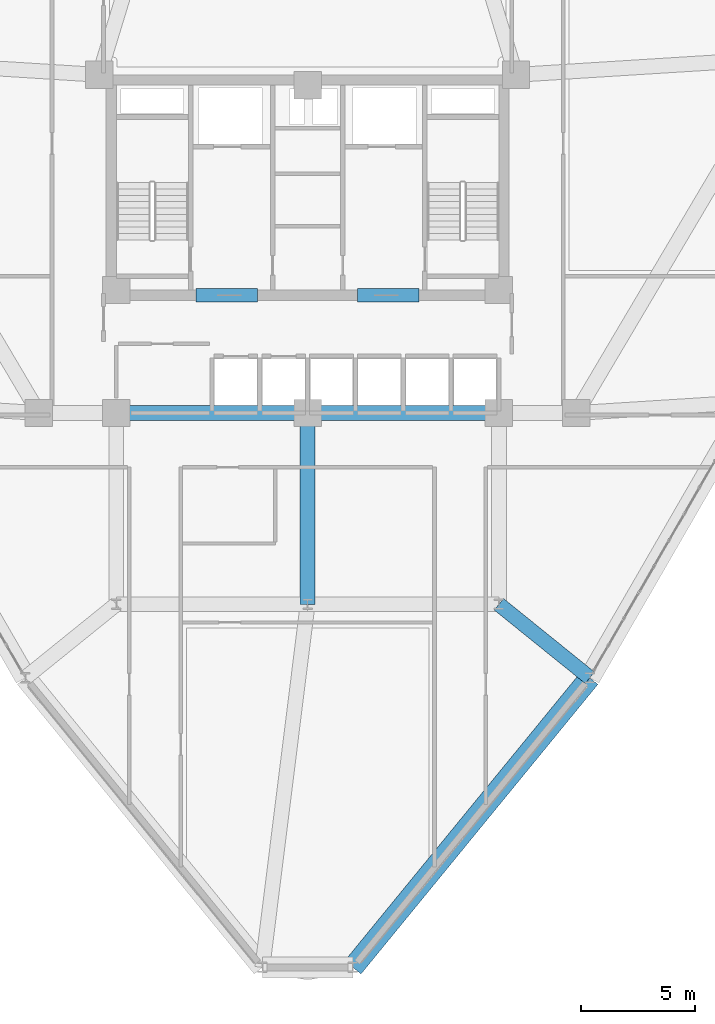
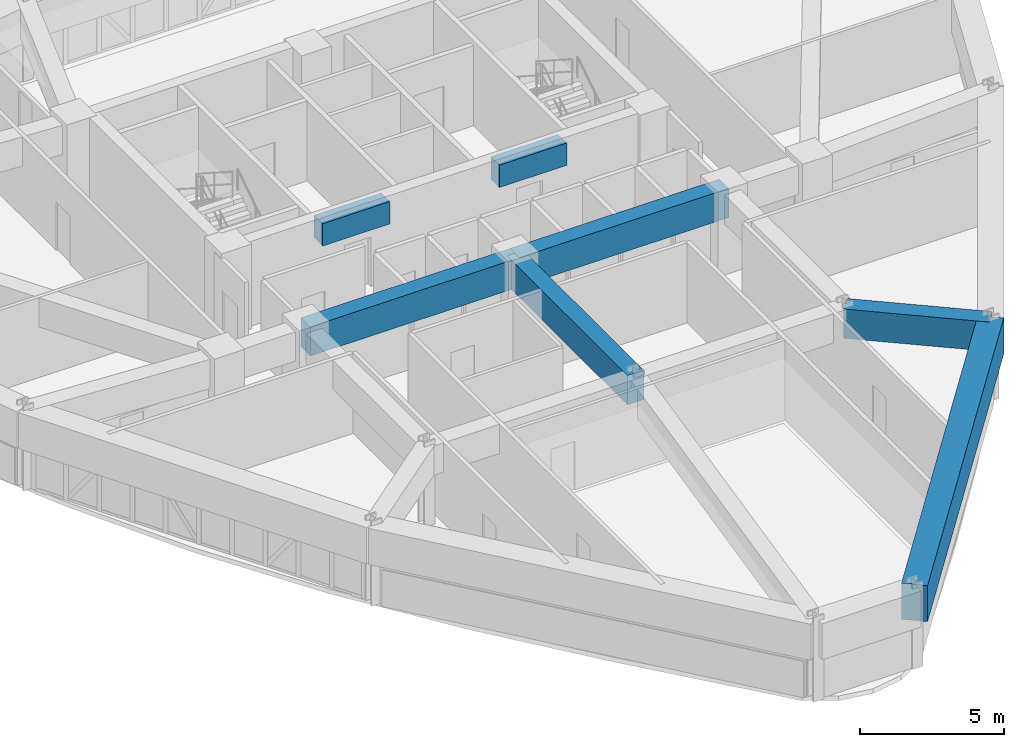
# One storey, part 5 of 15: 7 beams.
"""IFC4 building model written with IfcOpenShell, lengths in metres."""

from ifc_helpers import new_model, si_unit, derived_unit, direction, frame, origin, origin_2d, place, context, subcontext, project, spatial, rectangle, extrude, source, transform, mapped, material, material_profile, profile_set, type_object, element, save


model = new_model("IFC4")

# Units and contexts
model_context = context("Model", 3, precision=1e-05, world=origin(), true_north=direction((0.0, 1.0)))
body_context = subcontext(model_context, "Body", "Model", "MODEL_VIEW")
ifc_project = project(units=[si_unit("LENGTHUNIT", "METRE"), si_unit("AREAUNIT", "SQUARE_METRE"), si_unit("VOLUMEUNIT", "CUBIC_METRE"), si_unit("PLANEANGLEUNIT", "RADIAN"), si_unit("MASSUNIT", "GRAM", prefix="KILO"), derived_unit("THERMALTRANSMITTANCEUNIT", [(si_unit("POWERUNIT", "WATT"), 1), (si_unit("LENGTHUNIT", "METRE"), -2), (si_unit("THERMODYNAMICTEMPERATUREUNIT", "KELVIN"), -1)])], contexts=[model_context])

# Site, building, storey
site_placement = place(None, origin())
site = spatial("IfcSite", under=ifc_project, at=site_placement, CompositionType="ELEMENT")
building_placement = place(site_placement, origin())
building = spatial("IfcBuilding", under=site, at=building_placement, Name="Korsvarv Bourse and Concert Hall", CompositionType="ELEMENT")
storey_placement = place(building_placement, frame((0.0, 0.0, 113.39990234375)))
storey = spatial("IfcBuildingStorey", under=building, at=storey_placement, Name="L28", CompositionType="ELEMENT", Elevation=113.39990234375)

# Beams
ifc_material_1 = material(Name="Concrete C55/67", Category="concrete")
ifc_material_profile_1 = material_profile(ifc_material_1, rectangle(XDim=0.60009765625, YDim=0.949951171875, at=origin_2d()), Name="RC-BM 600x950")
ifc_profile_set_1 = profile_set([ifc_material_profile_1], Name="Concrete C55/67")
beam_type_1 = type_object("IfcBeamType", Name="BM-CPL", PredefinedType="LINTEL", material=ifc_profile_set_1)
shared_shape_1 = source(origin(), body_context, "Body", "SweptSolid", [
    extrude(rectangle(XDim=0.60009765625, YDim=0.949951171875, at=origin_2d()), origin(), (0.0, 0.0, 1.0), 2.699951171875),
])
for number, where, z_axis, x_axis, name in (
    (1, (31.10009765625, 37.574951171875, 2.925048828125), (1.0, 0.0, 0.0), (0.0, 1.0, 0.0), "L28 Core Coupling Beam West"),
    (2, (38.199951171875, 37.574951171875, 2.925048828125), (1.0, 0.0, 0.0), (0.0, 1.0, 0.0), "L28 Core Coupling Beam East"),
):
    element("IfcBeam", number, at=place(storey_placement, frame(where, z_axis=z_axis, x_axis=x_axis)), inside=storey, type_object=beam_type_1, Name=name, PredefinedType="LINTEL", context=body_context, shape_type="MappedRepresentation", body=[
        mapped(shared_shape_1, transform((0.0, 0.0, 0.0), scale=1.0)),
    ])
ifc_material_2 = material(Name="Concrete C50/60", Category="concrete")
ifc_material_profile_2 = material_profile(ifc_material_2, rectangle(XDim=0.64990234375, YDim=1.239990234375, at=origin_2d()), Name="RC-BM 650x1240")
ifc_profile_set_2 = profile_set([ifc_material_profile_2], Name="Concrete C50/60")
beam_type_2 = type_object("IfcBeamType", Name="BM-TR-SPN", PredefinedType="BEAM", material=ifc_profile_set_2)
shared_shape_2 = source(origin(), body_context, "Body", "SweptSolid", [
    extrude(rectangle(XDim=0.64990234375, YDim=1.239990234375, at=origin_2d()), origin(), (0.0, 0.0, 1.0), 8.39990234375),
])
for number, where, z_axis, x_axis, name in (
    (3, (27.60009765625, 32.39990234375, 2.780029296875), (1.0, 0.0, 0.0), (0.0, 1.0, 0.0), "L28 beam B-TRS"),
    (4, (36.0, 32.39990234375, 2.780029296875), (1.0, 0.0, 0.0), (0.0, 1.0, 0.0), "L28 beam B-TRS"),
    (5, (36.0, 24.0, 2.780029296875), (0.0, 1.0, 0.0), (-1.0, 0.0, 0.0), "L28 beam B-TRS"),
):
    element("IfcBeam", number, at=place(storey_placement, frame(where, z_axis=z_axis, x_axis=x_axis)), inside=storey, type_object=beam_type_2, Name=name, PredefinedType="BEAM", context=body_context, shape_type="MappedRepresentation", body=[
        mapped(shared_shape_2, transform((0.0, 0.0, 0.0), scale=1.0)),
    ])
ifc_material_profile_3 = material_profile(ifc_material_2, rectangle(XDim=0.919921875, YDim=1.530029296875, at=origin_2d()), Name="RC-BM 920x1530")
ifc_profile_set_3 = profile_set([ifc_material_profile_3], Name="Concrete C50/60")
beam_type_3 = type_object("IfcBeamType", Name="BM-TR-154", PredefinedType="BEAM", material=ifc_profile_set_3)
shared_shape_3 = source(origin(), body_context, "Body", "SweptSolid", [
    extrude(rectangle(XDim=0.919921875, YDim=1.530029296875, at=origin_2d()), origin(), (0.0, 0.0, 1.0), 16.4345703125),
])
beam_1_placement = place(storey_placement, frame((37.9873046875, 8.054931640625, 2.635009765625), z_axis=(0.633145565553, 0.774032746607, 0.0), x_axis=(-0.774032746607, 0.633145565553, 0.0)))
element("IfcBeam", 6, at=beam_1_placement, inside=storey, type_object=beam_type_3, Name="L28 beam B-TR6", PredefinedType="BEAM", context=body_context, shape_type="MappedRepresentation", body=[
    mapped(shared_shape_3, transform((0.0, 0.0, 0.0), scale=1.0)),
])
shared_shape_4 = source(origin(), body_context, "Body", "SweptSolid", [
    extrude(rectangle(XDim=0.64990234375, YDim=1.239990234375, at=origin_2d()), origin(), (0.0, 0.0, 1.0), 5.132080078125),
])
beam_2_placement = place(storey_placement, frame((48.392822265625, 20.77587890625, 2.780029296875), z_axis=(-0.778029713996, 0.62822747802, 0.0), x_axis=(-0.62822747802, -0.778029713996, 0.0)))
element("IfcBeam", 7, at=beam_2_placement, inside=storey, type_object=beam_type_2, Name="L28 beam B-TRS", PredefinedType="BEAM", context=body_context, shape_type="MappedRepresentation", body=[
    mapped(shared_shape_4, transform((0.0, 0.0, 0.0), scale=1.0)),
])

save(model, "model.ifc")
